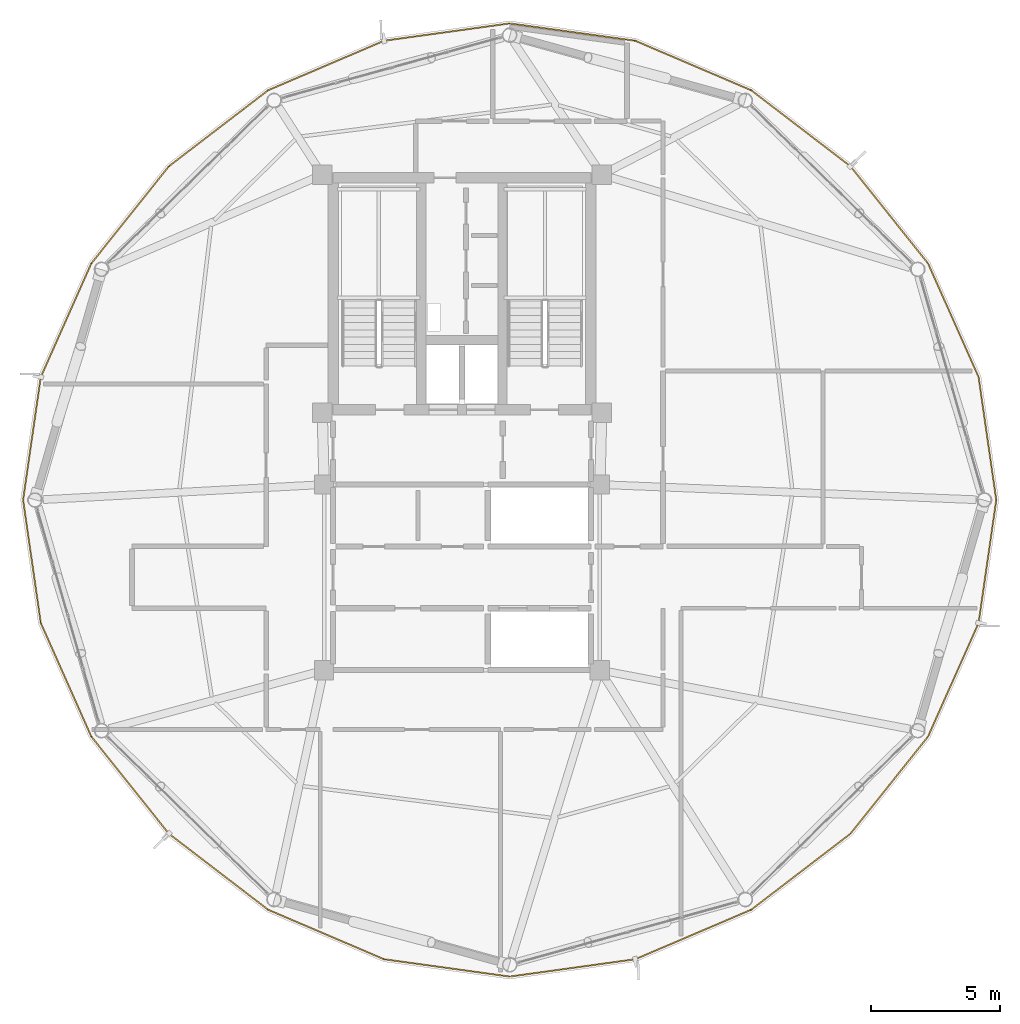
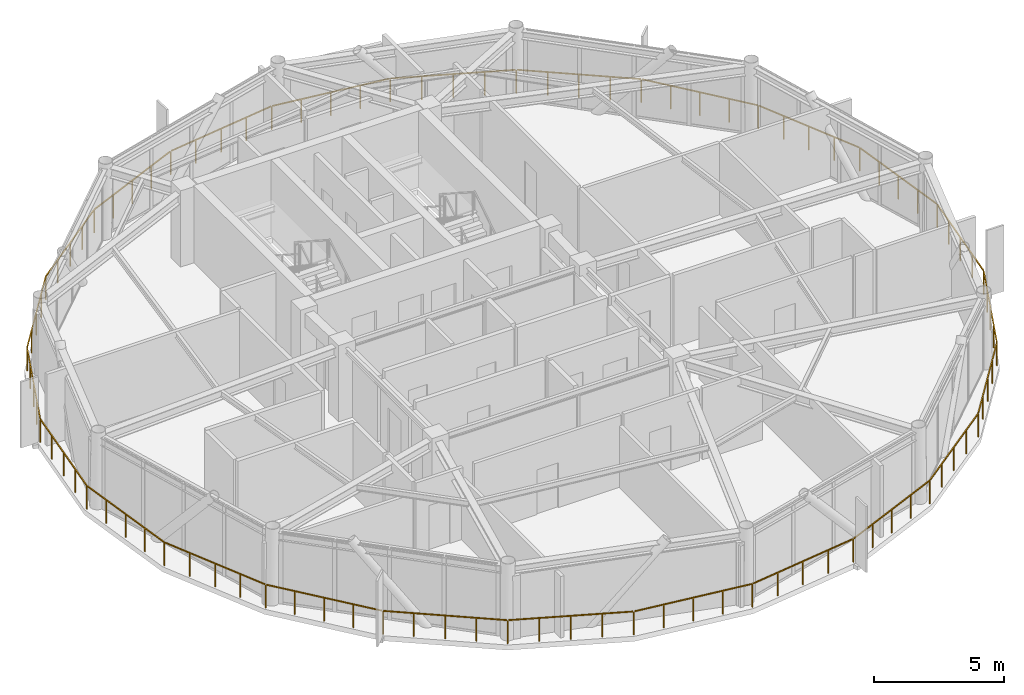
# One storey, part 24 of 25: 1 railing.
"""IFC4 building model written with IfcOpenShell, lengths in metres."""

from ifc_helpers import new_model, si_unit, direction, frame, origin, origin_2d, place, context, subcontext, project, spatial, rectangle, extrude, material, type_object, element, save


model = new_model("IFC4")

# Units and contexts
model_context = context("Model", 3, precision=1e-05, world=origin(), true_north=direction((0.0, 1.0)))
body_context = subcontext(model_context, "Body", "Model", "MODEL_VIEW")
ifc_project = project(units=[si_unit("LENGTHUNIT", "METRE"), si_unit("AREAUNIT", "SQUARE_METRE"), si_unit("VOLUMEUNIT", "CUBIC_METRE"), si_unit("PLANEANGLEUNIT", "RADIAN"), si_unit("MASSUNIT", "GRAM", prefix="KILO")], contexts=[model_context])

# Site, building, storey
site_placement = place(None, origin())
site = spatial("IfcSite", under=ifc_project, at=site_placement, CompositionType="ELEMENT")
building_placement = place(site_placement, origin())
building = spatial("IfcBuilding", under=site, at=building_placement, Name="Varnakorn Sky Granary", CompositionType="ELEMENT")
storey_placement = place(building_placement, frame((0.0, 0.0, 252.60009765625)))
storey = spatial("IfcBuildingStorey", under=building, at=storey_placement, Name="L64", CompositionType="ELEMENT", Elevation=252.60009765625)

# Railing
ifc_material = material(Name="Anodised Bronze Aluminium Alloy 6063-T6", Category="aluminium")
railing_type = type_object("IfcRailingType", Name="RL-BAL-1120", PredefinedType="BALUSTRADE", material=ifc_material)
railing_placement = place(storey_placement, frame((23.72607421875, 0.0, 0.0)))
element("IfcRailing", 1, at=railing_placement, inside=storey, type_object=railing_type, Name="Perimeter Slab-Edge Safety Guard L64", PredefinedType="BALUSTRADE", context=body_context, shape_type="SweptSolid", body=[
    extrude(rectangle(XDim=0.048095703125, YDim=0.048095703125, at=origin_2d()), frame((-0.00390625, -0.02783203125, 1.09619140625), z_axis=(-0.14236431002, -0.989814327656, 0.0), x_axis=(0.989814327656, -0.14236431002, 0.0)), (0.0, 0.0, 1.0), 4.7646484375),
    extrude(rectangle(XDim=0.048095703125, YDim=0.048095703125, at=origin_2d()), frame((-0.69775390625, -4.797119140625, 1.09619140625), z_axis=(-0.406368787487, -0.913709148776, 0.0), x_axis=(0.913709148776, -0.406368787487, 0.0)), (0.0, 0.0, 1.0), 4.762939453125),
    extrude(rectangle(XDim=0.048095703125, YDim=0.048095703125, at=origin_2d()), frame((-2.662109375, -9.196533203125, 1.09619140625), z_axis=(-0.623948104033, -0.781465778824, 0.0), x_axis=(0.781465778824, -0.623948104033, 0.0)), (0.0, 0.0, 1.0), 4.768798828125),
    extrude(rectangle(XDim=0.048095703125, YDim=0.048095703125, at=origin_2d()), frame((-5.67724609375, -12.962158203125, 1.09619140625), z_axis=(-0.793889002111, -0.608062704273, 0.0), x_axis=(0.608062704273, -0.793889002111, 0.0)), (0.0, 0.0, 1.0), 4.794677734375),
    extrude(rectangle(XDim=0.048095703125, YDim=0.048095703125, at=origin_2d()), frame((-9.531494140625, -15.905517578125, 1.09619140625), z_axis=(-0.919663277055, -0.392707851762, 0.0), x_axis=(0.392707851762, -0.919663277055, 0.0)), (0.0, 0.0, 1.0), 4.834228515625),
    extrude(rectangle(XDim=0.048095703125, YDim=0.048095703125, at=origin_2d()), frame((-14.031005859375, -17.81884765625, 1.09619140625), z_axis=(-0.990594006469, -0.136833893273, 0.0), x_axis=(0.136833893273, -0.990594006469, 0.0)), (0.0, 0.0, 1.0), 4.863037109375),
    extrude(rectangle(XDim=0.048095703125, YDim=0.048095703125, at=origin_2d()), frame((-18.90380859375, -18.484130859375, 1.09619140625), z_axis=(-0.990594935675, 0.136827166215, 0.0), x_axis=(-0.136827166215, -0.990594935675, 0.0)), (0.0, 0.0, 1.0), 4.86328125),
    extrude(rectangle(XDim=0.048095703125, YDim=0.048095703125, at=origin_2d()), frame((-23.774658203125, -17.803955078125, 1.09619140625), z_axis=(-0.919663277055, 0.392707851762, 0.0), x_axis=(-0.392707851762, -0.919663277055, 0.0)), (0.0, 0.0, 1.0), 4.834228515625),
    extrude(rectangle(XDim=0.048095703125, YDim=0.048095703125, at=origin_2d()), frame((-28.2685546875, -15.87744140625, 1.09619140625), z_axis=(-0.793889002111, 0.608062704273, 0.0), x_axis=(-0.608062704273, -0.793889002111, 0.0)), (0.0, 0.0, 1.0), 4.794677734375),
    extrude(rectangle(XDim=0.048095703125, YDim=0.048095703125, at=origin_2d()), frame((-32.11474609375, -12.923095703125, 1.09619140625), z_axis=(-0.623948104033, 0.781465778824, 0.0), x_axis=(-0.781465778824, -0.623948104033, 0.0)), (0.0, 0.0, 1.0), 4.768798828125),
    extrude(rectangle(XDim=0.048095703125, YDim=0.048095703125, at=origin_2d()), frame((-35.119140625, -9.14892578125, 1.09619140625), z_axis=(-0.406368787487, 0.913709148776, 0.0), x_axis=(-0.913709148776, -0.406368787487, 0.0)), (0.0, 0.0, 1.0), 4.762939453125),
    extrude(rectangle(XDim=0.048095703125, YDim=0.048095703125, at=origin_2d()), frame((-37.06982421875, -4.74365234375, 1.09619140625), z_axis=(-0.142314690513, 0.989821463126, 0.0), x_axis=(-0.989821463126, -0.142314690513, 0.0)), (0.0, 0.0, 1.0), 4.7646484375),
    extrude(rectangle(XDim=0.048095703125, YDim=0.048095703125, at=origin_2d()), frame((-37.748046875, 0.02783203125, 1.09619140625), z_axis=(0.142314690513, 0.989821463126, 0.0), x_axis=(-0.989821463126, 0.142314690513, 0.0)), (0.0, 0.0, 1.0), 4.7646484375),
    extrude(rectangle(XDim=0.048095703125, YDim=0.048095703125, at=origin_2d()), frame((-37.054443359375, 4.797119140625, 1.09619140625), z_axis=(0.406368787487, 0.913709148776, 0.0), x_axis=(-0.913709148776, 0.406368787487, 0.0)), (0.0, 0.0, 1.0), 4.762939453125),
    extrude(rectangle(XDim=0.048095703125, YDim=0.048095703125, at=origin_2d()), frame((-35.090087890625, 9.196533203125, 1.09619140625), z_axis=(0.623948104033, 0.781465778824, 0.0), x_axis=(-0.781465778824, 0.623948104033, 0.0)), (0.0, 0.0, 1.0), 4.768798828125),
    extrude(rectangle(XDim=0.048095703125, YDim=0.048095703125, at=origin_2d()), frame((-32.074951171875, 12.962158203125, 1.09619140625), z_axis=(0.793889002111, 0.608062704273, 0.0), x_axis=(-0.608062704273, 0.793889002111, 0.0)), (0.0, 0.0, 1.0), 4.794677734375),
    extrude(rectangle(XDim=0.048095703125, YDim=0.048095703125, at=origin_2d()), frame((-28.220703125, 15.905517578125, 1.09619140625), z_axis=(0.919663277055, 0.392707851762, 0.0), x_axis=(-0.392707851762, 0.919663277055, 0.0)), (0.0, 0.0, 1.0), 4.834228515625),
    extrude(rectangle(XDim=0.048095703125, YDim=0.048095703125, at=origin_2d()), frame((-23.72119140625, 17.81884765625, 1.09619140625), z_axis=(0.990594935675, 0.136827166215, 0.0), x_axis=(-0.136827166215, 0.990594935675, 0.0)), (0.0, 0.0, 1.0), 4.86328125),
    extrude(rectangle(XDim=0.048095703125, YDim=0.048095703125, at=origin_2d()), frame((-18.84814453125, 18.484130859375, 1.09619140625), z_axis=(0.990594006469, -0.136833893273, 0.0), x_axis=(0.136833893273, 0.990594006469, 0.0)), (0.0, 0.0, 1.0), 4.863037109375),
    extrude(rectangle(XDim=0.048095703125, YDim=0.048095703125, at=origin_2d()), frame((-13.9775390625, 17.803955078125, 1.09619140625), z_axis=(0.919663277055, -0.392707851762, 0.0), x_axis=(0.392707851762, 0.919663277055, 0.0)), (0.0, 0.0, 1.0), 4.834228515625),
    extrude(rectangle(XDim=0.048095703125, YDim=0.048095703125, at=origin_2d()), frame((-9.483642578125, 15.87744140625, 1.09619140625), z_axis=(0.793889002111, -0.608062704273, 0.0), x_axis=(0.608062704273, 0.793889002111, 0.0)), (0.0, 0.0, 1.0), 4.794677734375),
    extrude(rectangle(XDim=0.048095703125, YDim=0.048095703125, at=origin_2d()), frame((-5.637451171875, 12.923095703125, 1.09619140625), z_axis=(0.623948104033, -0.781465778824, 0.0), x_axis=(0.781465778824, 0.623948104033, 0.0)), (0.0, 0.0, 1.0), 4.768798828125),
    extrude(rectangle(XDim=0.048095703125, YDim=0.048095703125, at=origin_2d()), frame((-2.633056640625, 9.14892578125, 1.09619140625), z_axis=(0.406368787487, -0.913709148776, 0.0), x_axis=(0.913709148776, 0.406368787487, 0.0)), (0.0, 0.0, 1.0), 4.762939453125),
    extrude(rectangle(XDim=0.048095703125, YDim=0.048095703125, at=origin_2d()), frame((-0.682373046875, 4.74365234375, 1.09619140625), z_axis=(0.14236431002, -0.989814327656, 0.0), x_axis=(0.989814327656, 0.14236431002, 0.0)), (0.0, 0.0, 1.0), 4.7646484375),
    extrude(rectangle(XDim=0.0419921875, YDim=0.0419921875, at=origin_2d()), origin(), (0.0, 0.0, 1.0), 1.068115234375),
    extrude(rectangle(XDim=0.0419921875, YDim=0.0419921875, at=origin_2d()), frame((-0.171630859375, -1.19287109375, 0.0)), (0.0, 0.0, 1.0), 1.068115234375),
    extrude(rectangle(XDim=0.0419921875, YDim=0.0419921875, at=origin_2d()), frame((-0.34326171875, -2.3857421875, 0.0)), (0.0, 0.0, 1.0), 1.068115234375),
    extrude(rectangle(XDim=0.0419921875, YDim=0.0419921875, at=origin_2d()), frame((-0.5146484375, -3.57861328125, 0.0)), (0.0, 0.0, 1.0), 1.068115234375),
    extrude(rectangle(XDim=0.0419921875, YDim=0.0419921875, at=origin_2d()), frame((-0.686279296875, -4.771484375, 0.0)), (0.0, 0.0, 1.0), 1.068115234375),
    extrude(rectangle(XDim=0.0419921875, YDim=0.0419921875, at=origin_2d()), frame((-1.17578125, -5.872314453125, 0.0)), (0.0, 0.0, 1.0), 1.068115234375),
    extrude(rectangle(XDim=0.0419921875, YDim=0.0419921875, at=origin_2d()), frame((-1.66552734375, -6.97314453125, 0.0)), (0.0, 0.0, 1.0), 1.068115234375),
    extrude(rectangle(XDim=0.0419921875, YDim=0.0419921875, at=origin_2d()), frame((-2.155029296875, -8.07373046875, 0.0)), (0.0, 0.0, 1.0), 1.068115234375),
    extrude(rectangle(XDim=0.0419921875, YDim=0.0419921875, at=origin_2d()), frame((-2.64453125, -9.174560546875, 0.0)), (0.0, 0.0, 1.0), 1.068115234375),
    extrude(rectangle(XDim=0.0419921875, YDim=0.0419921875, at=origin_2d()), frame((-3.397216796875, -10.1171875, 0.0)), (0.0, 0.0, 1.0), 1.068115234375),
    extrude(rectangle(XDim=0.0419921875, YDim=0.0419921875, at=origin_2d()), frame((-4.14990234375, -11.059814453125, 0.0)), (0.0, 0.0, 1.0), 1.068115234375),
    extrude(rectangle(XDim=0.0419921875, YDim=0.0419921875, at=origin_2d()), frame((-4.90234375, -12.00244140625, 0.0)), (0.0, 0.0, 1.0), 1.068115234375),
    extrude(rectangle(XDim=0.0419921875, YDim=0.0419921875, at=origin_2d()), frame((-5.655029296875, -12.945068359375, 0.0)), (0.0, 0.0, 1.0), 1.068115234375),
    extrude(rectangle(XDim=0.0419921875, YDim=0.0419921875, at=origin_2d()), frame((-6.61767578125, -13.682373046875, 0.0)), (0.0, 0.0, 1.0), 1.068115234375),
    extrude(rectangle(XDim=0.0419921875, YDim=0.0419921875, at=origin_2d()), frame((-7.58056640625, -14.419921875, 0.0)), (0.0, 0.0, 1.0), 1.068115234375),
    extrude(rectangle(XDim=0.0419921875, YDim=0.0419921875, at=origin_2d()), frame((-8.543212890625, -15.1572265625, 0.0)), (0.0, 0.0, 1.0), 1.068115234375),
    extrude(rectangle(XDim=0.0419921875, YDim=0.0419921875, at=origin_2d()), frame((-9.505859375, -15.89453125, 0.0)), (0.0, 0.0, 1.0), 1.068115234375),
    extrude(rectangle(XDim=0.0419921875, YDim=0.0419921875, at=origin_2d()), frame((-10.630126953125, -16.37451171875, 0.0)), (0.0, 0.0, 1.0), 1.068115234375),
    extrude(rectangle(XDim=0.0419921875, YDim=0.0419921875, at=origin_2d()), frame((-11.75439453125, -16.854736328125, 0.0)), (0.0, 0.0, 1.0), 1.068115234375),
    extrude(rectangle(XDim=0.0419921875, YDim=0.0419921875, at=origin_2d()), frame((-12.87890625, -17.3349609375, 0.0)), (0.0, 0.0, 1.0), 1.068115234375),
    extrude(rectangle(XDim=0.0419921875, YDim=0.0419921875, at=origin_2d()), frame((-14.003173828125, -17.81494140625, 0.0)), (0.0, 0.0, 1.0), 1.068115234375),
    extrude(rectangle(XDim=0.0419921875, YDim=0.0419921875, at=origin_2d()), frame((-15.221435546875, -17.983154296875, 0.0)), (0.0, 0.0, 1.0), 1.068115234375),
    extrude(rectangle(XDim=0.0419921875, YDim=0.0419921875, at=origin_2d()), frame((-16.439453125, -18.1513671875, 0.0)), (0.0, 0.0, 1.0), 1.068115234375),
    extrude(rectangle(XDim=0.0419921875, YDim=0.0419921875, at=origin_2d()), frame((-17.65771484375, -18.31982421875, 0.0)), (0.0, 0.0, 1.0), 1.068115234375),
    extrude(rectangle(XDim=0.0419921875, YDim=0.0419921875, at=origin_2d()), frame((-18.8759765625, -18.488037109375, 0.0)), (0.0, 0.0, 1.0), 1.068115234375),
    extrude(rectangle(XDim=0.0419921875, YDim=0.0419921875, at=origin_2d()), frame((-20.09423828125, -18.31982421875, 0.0)), (0.0, 0.0, 1.0), 1.068115234375),
    extrude(rectangle(XDim=0.0419921875, YDim=0.0419921875, at=origin_2d()), frame((-21.3125, -18.1513671875, 0.0)), (0.0, 0.0, 1.0), 1.068115234375),
    extrude(rectangle(XDim=0.0419921875, YDim=0.0419921875, at=origin_2d()), frame((-22.53076171875, -17.983154296875, 0.0)), (0.0, 0.0, 1.0), 1.068115234375),
    extrude(rectangle(XDim=0.0419921875, YDim=0.0419921875, at=origin_2d()), frame((-23.7490234375, -17.81494140625, 0.0)), (0.0, 0.0, 1.0), 1.068115234375),
    extrude(rectangle(XDim=0.0419921875, YDim=0.0419921875, at=origin_2d()), frame((-24.873291015625, -17.3349609375, 0.0)), (0.0, 0.0, 1.0), 1.068115234375),
    extrude(rectangle(XDim=0.0419921875, YDim=0.0419921875, at=origin_2d()), frame((-25.99755859375, -16.854736328125, 0.0)), (0.0, 0.0, 1.0), 1.068115234375),
    extrude(rectangle(XDim=0.0419921875, YDim=0.0419921875, at=origin_2d()), frame((-27.1220703125, -16.37451171875, 0.0)), (0.0, 0.0, 1.0), 1.068115234375),
    extrude(rectangle(XDim=0.0419921875, YDim=0.0419921875, at=origin_2d()), frame((-28.246337890625, -15.89453125, 0.0)), (0.0, 0.0, 1.0), 1.068115234375),
    extrude(rectangle(XDim=0.0419921875, YDim=0.0419921875, at=origin_2d()), frame((-29.208984375, -15.1572265625, 0.0)), (0.0, 0.0, 1.0), 1.068115234375),
    extrude(rectangle(XDim=0.0419921875, YDim=0.0419921875, at=origin_2d()), frame((-30.171875, -14.419921875, 0.0)), (0.0, 0.0, 1.0), 1.068115234375),
    extrude(rectangle(XDim=0.0419921875, YDim=0.0419921875, at=origin_2d()), frame((-31.134521484375, -13.682373046875, 0.0)), (0.0, 0.0, 1.0), 1.068115234375),
    extrude(rectangle(XDim=0.0419921875, YDim=0.0419921875, at=origin_2d()), frame((-32.09716796875, -12.945068359375, 0.0)), (0.0, 0.0, 1.0), 1.068115234375),
    extrude(rectangle(XDim=0.0419921875, YDim=0.0419921875, at=origin_2d()), frame((-32.849853515625, -12.00244140625, 0.0)), (0.0, 0.0, 1.0), 1.068115234375),
    extrude(rectangle(XDim=0.0419921875, YDim=0.0419921875, at=origin_2d()), frame((-33.6025390625, -11.059814453125, 0.0)), (0.0, 0.0, 1.0), 1.068115234375),
    extrude(rectangle(XDim=0.0419921875, YDim=0.0419921875, at=origin_2d()), frame((-34.35498046875, -10.1171875, 0.0)), (0.0, 0.0, 1.0), 1.068115234375),
    extrude(rectangle(XDim=0.0419921875, YDim=0.0419921875, at=origin_2d()), frame((-35.107666015625, -9.174560546875, 0.0)), (0.0, 0.0, 1.0), 1.068115234375),
    extrude(rectangle(XDim=0.0419921875, YDim=0.0419921875, at=origin_2d()), frame((-35.59716796875, -8.07373046875, 0.0)), (0.0, 0.0, 1.0), 1.068115234375),
    extrude(rectangle(XDim=0.0419921875, YDim=0.0419921875, at=origin_2d()), frame((-36.0869140625, -6.97314453125, 0.0)), (0.0, 0.0, 1.0), 1.068115234375),
    extrude(rectangle(XDim=0.0419921875, YDim=0.0419921875, at=origin_2d()), frame((-36.576416015625, -5.872314453125, 0.0)), (0.0, 0.0, 1.0), 1.068115234375),
    extrude(rectangle(XDim=0.0419921875, YDim=0.0419921875, at=origin_2d()), frame((-37.06591796875, -4.771484375, 0.0)), (0.0, 0.0, 1.0), 1.068115234375),
    extrude(rectangle(XDim=0.0419921875, YDim=0.0419921875, at=origin_2d()), frame((-37.2373046875, -3.57861328125, 0.0)), (0.0, 0.0, 1.0), 1.068115234375),
    extrude(rectangle(XDim=0.0419921875, YDim=0.0419921875, at=origin_2d()), frame((-37.408935546875, -2.3857421875, 0.0)), (0.0, 0.0, 1.0), 1.068115234375),
    extrude(rectangle(XDim=0.0419921875, YDim=0.0419921875, at=origin_2d()), frame((-37.58056640625, -1.19287109375, 0.0)), (0.0, 0.0, 1.0), 1.068115234375),
    extrude(rectangle(XDim=0.0419921875, YDim=0.0419921875, at=origin_2d()), frame((-37.751953125, 0.0, 0.0)), (0.0, 0.0, 1.0), 1.068115234375),
    extrude(rectangle(XDim=0.0419921875, YDim=0.0419921875, at=origin_2d()), frame((-37.58056640625, 1.19287109375, 0.0)), (0.0, 0.0, 1.0), 1.068115234375),
    extrude(rectangle(XDim=0.0419921875, YDim=0.0419921875, at=origin_2d()), frame((-37.408935546875, 2.3857421875, 0.0)), (0.0, 0.0, 1.0), 1.068115234375),
    extrude(rectangle(XDim=0.0419921875, YDim=0.0419921875, at=origin_2d()), frame((-37.2373046875, 3.57861328125, 0.0)), (0.0, 0.0, 1.0), 1.068115234375),
    extrude(rectangle(XDim=0.0419921875, YDim=0.0419921875, at=origin_2d()), frame((-37.06591796875, 4.771484375, 0.0)), (0.0, 0.0, 1.0), 1.068115234375),
    extrude(rectangle(XDim=0.0419921875, YDim=0.0419921875, at=origin_2d()), frame((-36.576416015625, 5.872314453125, 0.0)), (0.0, 0.0, 1.0), 1.068115234375),
    extrude(rectangle(XDim=0.0419921875, YDim=0.0419921875, at=origin_2d()), frame((-36.0869140625, 6.97314453125, 0.0)), (0.0, 0.0, 1.0), 1.068115234375),
    extrude(rectangle(XDim=0.0419921875, YDim=0.0419921875, at=origin_2d()), frame((-35.59716796875, 8.07373046875, 0.0)), (0.0, 0.0, 1.0), 1.068115234375),
    extrude(rectangle(XDim=0.0419921875, YDim=0.0419921875, at=origin_2d()), frame((-35.107666015625, 9.174560546875, 0.0)), (0.0, 0.0, 1.0), 1.068115234375),
    extrude(rectangle(XDim=0.0419921875, YDim=0.0419921875, at=origin_2d()), frame((-34.35498046875, 10.1171875, 0.0)), (0.0, 0.0, 1.0), 1.068115234375),
    extrude(rectangle(XDim=0.0419921875, YDim=0.0419921875, at=origin_2d()), frame((-33.6025390625, 11.059814453125, 0.0)), (0.0, 0.0, 1.0), 1.068115234375),
    extrude(rectangle(XDim=0.0419921875, YDim=0.0419921875, at=origin_2d()), frame((-32.849853515625, 12.00244140625, 0.0)), (0.0, 0.0, 1.0), 1.068115234375),
    extrude(rectangle(XDim=0.0419921875, YDim=0.0419921875, at=origin_2d()), frame((-32.09716796875, 12.945068359375, 0.0)), (0.0, 0.0, 1.0), 1.068115234375),
    extrude(rectangle(XDim=0.0419921875, YDim=0.0419921875, at=origin_2d()), frame((-31.134521484375, 13.682373046875, 0.0)), (0.0, 0.0, 1.0), 1.068115234375),
    extrude(rectangle(XDim=0.0419921875, YDim=0.0419921875, at=origin_2d()), frame((-30.171875, 14.419921875, 0.0)), (0.0, 0.0, 1.0), 1.068115234375),
    extrude(rectangle(XDim=0.0419921875, YDim=0.0419921875, at=origin_2d()), frame((-29.208984375, 15.1572265625, 0.0)), (0.0, 0.0, 1.0), 1.068115234375),
    extrude(rectangle(XDim=0.0419921875, YDim=0.0419921875, at=origin_2d()), frame((-28.246337890625, 15.89453125, 0.0)), (0.0, 0.0, 1.0), 1.068115234375),
    extrude(rectangle(XDim=0.0419921875, YDim=0.0419921875, at=origin_2d()), frame((-27.1220703125, 16.37451171875, 0.0)), (0.0, 0.0, 1.0), 1.068115234375),
    extrude(rectangle(XDim=0.0419921875, YDim=0.0419921875, at=origin_2d()), frame((-25.99755859375, 16.854736328125, 0.0)), (0.0, 0.0, 1.0), 1.068115234375),
    extrude(rectangle(XDim=0.0419921875, YDim=0.0419921875, at=origin_2d()), frame((-24.873291015625, 17.3349609375, 0.0)), (0.0, 0.0, 1.0), 1.068115234375),
    extrude(rectangle(XDim=0.0419921875, YDim=0.0419921875, at=origin_2d()), frame((-23.7490234375, 17.81494140625, 0.0)), (0.0, 0.0, 1.0), 1.068115234375),
    extrude(rectangle(XDim=0.0419921875, YDim=0.0419921875, at=origin_2d()), frame((-22.53076171875, 17.983154296875, 0.0)), (0.0, 0.0, 1.0), 1.068115234375),
    extrude(rectangle(XDim=0.0419921875, YDim=0.0419921875, at=origin_2d()), frame((-21.3125, 18.1513671875, 0.0)), (0.0, 0.0, 1.0), 1.068115234375),
    extrude(rectangle(XDim=0.0419921875, YDim=0.0419921875, at=origin_2d()), frame((-20.09423828125, 18.31982421875, 0.0)), (0.0, 0.0, 1.0), 1.068115234375),
    extrude(rectangle(XDim=0.0419921875, YDim=0.0419921875, at=origin_2d()), frame((-18.8759765625, 18.488037109375, 0.0)), (0.0, 0.0, 1.0), 1.068115234375),
    extrude(rectangle(XDim=0.0419921875, YDim=0.0419921875, at=origin_2d()), frame((-17.65771484375, 18.31982421875, 0.0)), (0.0, 0.0, 1.0), 1.068115234375),
    extrude(rectangle(XDim=0.0419921875, YDim=0.0419921875, at=origin_2d()), frame((-16.439453125, 18.1513671875, 0.0)), (0.0, 0.0, 1.0), 1.068115234375),
    extrude(rectangle(XDim=0.0419921875, YDim=0.0419921875, at=origin_2d()), frame((-15.221435546875, 17.983154296875, 0.0)), (0.0, 0.0, 1.0), 1.068115234375),
    extrude(rectangle(XDim=0.0419921875, YDim=0.0419921875, at=origin_2d()), frame((-14.003173828125, 17.81494140625, 0.0)), (0.0, 0.0, 1.0), 1.068115234375),
    extrude(rectangle(XDim=0.0419921875, YDim=0.0419921875, at=origin_2d()), frame((-12.87890625, 17.3349609375, 0.0)), (0.0, 0.0, 1.0), 1.068115234375),
    extrude(rectangle(XDim=0.0419921875, YDim=0.0419921875, at=origin_2d()), frame((-11.75439453125, 16.854736328125, 0.0)), (0.0, 0.0, 1.0), 1.068115234375),
    extrude(rectangle(XDim=0.0419921875, YDim=0.0419921875, at=origin_2d()), frame((-10.630126953125, 16.37451171875, 0.0)), (0.0, 0.0, 1.0), 1.068115234375),
    extrude(rectangle(XDim=0.0419921875, YDim=0.0419921875, at=origin_2d()), frame((-9.505859375, 15.89453125, 0.0)), (0.0, 0.0, 1.0), 1.068115234375),
    extrude(rectangle(XDim=0.0419921875, YDim=0.0419921875, at=origin_2d()), frame((-8.543212890625, 15.1572265625, 0.0)), (0.0, 0.0, 1.0), 1.068115234375),
    extrude(rectangle(XDim=0.0419921875, YDim=0.0419921875, at=origin_2d()), frame((-7.58056640625, 14.419921875, 0.0)), (0.0, 0.0, 1.0), 1.068115234375),
    extrude(rectangle(XDim=0.0419921875, YDim=0.0419921875, at=origin_2d()), frame((-6.61767578125, 13.682373046875, 0.0)), (0.0, 0.0, 1.0), 1.068115234375),
    extrude(rectangle(XDim=0.0419921875, YDim=0.0419921875, at=origin_2d()), frame((-5.655029296875, 12.945068359375, 0.0)), (0.0, 0.0, 1.0), 1.068115234375),
    extrude(rectangle(XDim=0.0419921875, YDim=0.0419921875, at=origin_2d()), frame((-4.90234375, 12.00244140625, 0.0)), (0.0, 0.0, 1.0), 1.068115234375),
    extrude(rectangle(XDim=0.0419921875, YDim=0.0419921875, at=origin_2d()), frame((-4.14990234375, 11.059814453125, 0.0)), (0.0, 0.0, 1.0), 1.068115234375),
    extrude(rectangle(XDim=0.0419921875, YDim=0.0419921875, at=origin_2d()), frame((-3.397216796875, 10.1171875, 0.0)), (0.0, 0.0, 1.0), 1.068115234375),
    extrude(rectangle(XDim=0.0419921875, YDim=0.0419921875, at=origin_2d()), frame((-2.64453125, 9.174560546875, 0.0)), (0.0, 0.0, 1.0), 1.068115234375),
    extrude(rectangle(XDim=0.0419921875, YDim=0.0419921875, at=origin_2d()), frame((-2.155029296875, 8.07373046875, 0.0)), (0.0, 0.0, 1.0), 1.068115234375),
    extrude(rectangle(XDim=0.0419921875, YDim=0.0419921875, at=origin_2d()), frame((-1.66552734375, 6.97314453125, 0.0)), (0.0, 0.0, 1.0), 1.068115234375),
    extrude(rectangle(XDim=0.0419921875, YDim=0.0419921875, at=origin_2d()), frame((-1.17578125, 5.872314453125, 0.0)), (0.0, 0.0, 1.0), 1.068115234375),
    extrude(rectangle(XDim=0.0419921875, YDim=0.0419921875, at=origin_2d()), frame((-0.686279296875, 4.771484375, 0.0)), (0.0, 0.0, 1.0), 1.068115234375),
    extrude(rectangle(XDim=0.0419921875, YDim=0.0419921875, at=origin_2d()), frame((-0.5146484375, 3.57861328125, 0.0)), (0.0, 0.0, 1.0), 1.068115234375),
    extrude(rectangle(XDim=0.0419921875, YDim=0.0419921875, at=origin_2d()), frame((-0.34326171875, 2.3857421875, 0.0)), (0.0, 0.0, 1.0), 1.068115234375),
    extrude(rectangle(XDim=0.0419921875, YDim=0.0419921875, at=origin_2d()), frame((-0.171630859375, 1.19287109375, 0.0)), (0.0, 0.0, 1.0), 1.068115234375),
])

save(model, "model.ifc")
